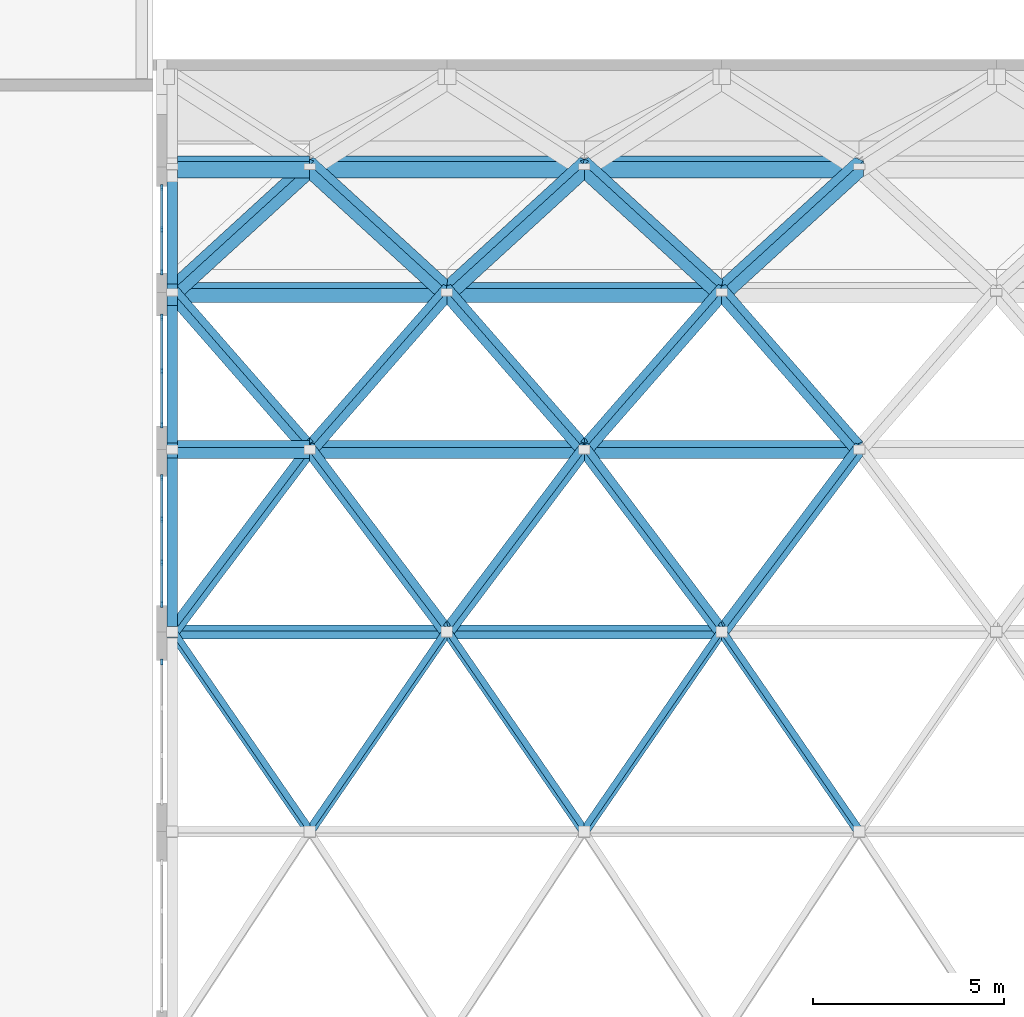
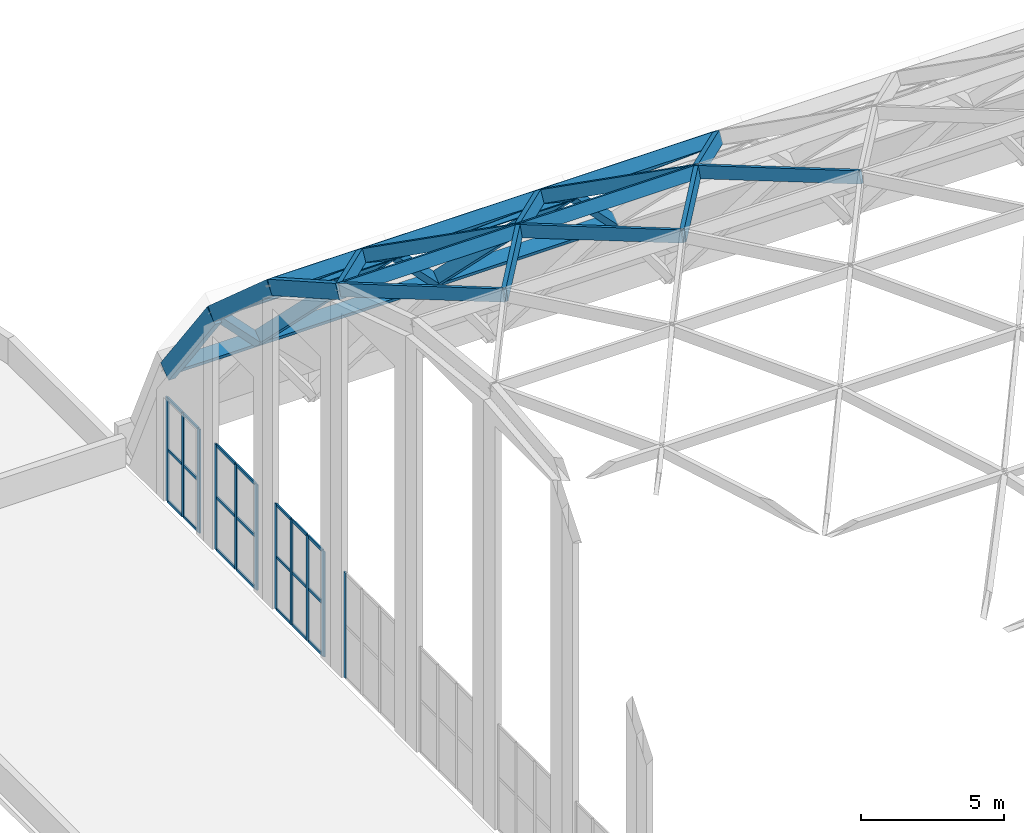
# One storey, part 6 of 52: 52 members, 13 beams, 4 elements without a shape of their own.
"""IFC4 building model written with IfcOpenShell, lengths in metres."""

from ifc_helpers import new_model, si_unit, direction, frame, origin, origin_2d, place, context, subcontext, project, spatial, rectangle, extrude, material, material_profile, profile_set, type_object, element, aggregate, save


model = new_model("IFC4")

# Units and contexts
model_context = context("Model", 3, precision=1e-05, world=origin(), true_north=direction((0.0, 1.0)))
body_context = subcontext(model_context, "Body", "Model", "MODEL_VIEW")
ifc_project = project(units=[si_unit("LENGTHUNIT", "METRE"), si_unit("AREAUNIT", "SQUARE_METRE"), si_unit("VOLUMEUNIT", "CUBIC_METRE"), si_unit("PLANEANGLEUNIT", "RADIAN"), si_unit("MASSUNIT", "GRAM", prefix="KILO")], contexts=[model_context])

# Site, building, storey
site_placement = place(None, origin())
site = spatial("IfcSite", under=ifc_project, at=site_placement, CompositionType="ELEMENT")
building_placement = place(site_placement, origin())
building = spatial("IfcBuilding", under=site, at=building_placement, Name="Vermilion Court Aquatics Centre", CompositionType="ELEMENT")
storey_placement = place(building_placement, frame((0.0, 0.0, 12.0)))
storey = spatial("IfcBuildingStorey", under=building, at=storey_placement, Name="L02", CompositionType="ELEMENT", Elevation=12.0)

# Curtain wall, member
ifc_material_1 = material(Name="Aluminium 6063-T5", Category="aluminium")
curtain_wall_type = type_object("IfcCurtainWallType", Name="Envelope curtain wall west gable lower runs", PredefinedType="NOTDEFINED", material=ifc_material_1)
curtain_wall_1_placement = place(storey_placement, origin())
curtain_wall_1 = element("IfcCurtainWall", 1, at=curtain_wall_1_placement, inside=storey, type_object=curtain_wall_type, Name="Gable glazing west 8.1", PredefinedType="NOTDEFINED")
ifc_material_2 = material(Name="Aluminium 6063-T5", Category="aluminium")
ifc_material_profile_1 = material_profile(ifc_material_2, rectangle(XDim=0.06005859375, YDim=0.159912109375, at=origin_2d()), Name="AL 60x160")
ifc_profile_set_1 = profile_set([ifc_material_profile_1], Name="Aluminium 6063-T5")
member_type_1 = type_object("IfcMemberType", Name="Envelope aluminium mullion 60x160", PredefinedType="MULLION", material=ifc_profile_set_1)
member_1_placement = place(storey_placement, frame((14.125, 49.52001953125, 0.0), z_axis=(0.0, 0.0, 1.0), x_axis=(-1.0, 0.0, 0.0)))
member_1 = element("IfcMember", 2, at=member_1_placement, type_object=member_type_1, Name="ECW3 mullion 4", PredefinedType="MULLION", context=body_context, shape_type="SweptSolid", body=[
    extrude(rectangle(XDim=0.06005859375, YDim=0.159912109375, at=origin_2d()), origin(), (0.0, 0.0, 1.0), 4.5),
])
aggregate(curtain_wall_1, [member_1])

# Curtain wall, members
curtain_wall_2_placement = place(storey_placement, origin())
curtain_wall_2 = element("IfcCurtainWall", 3, at=curtain_wall_2_placement, inside=storey, type_object=curtain_wall_type, Name="Gable glazing west 9.1", PredefinedType="NOTDEFINED")
member_2_placement = place(storey_placement, frame((14.125, 51.030029296875, 0.0), z_axis=(0.0, 0.0, 1.0), x_axis=(-1.0, 0.0, 0.0)))
member_2 = element("IfcMember", 4, at=member_2_placement, type_object=member_type_1, Name="ECW3 mullion 1", PredefinedType="MULLION", context=body_context, shape_type="SweptSolid", body=[
    extrude(rectangle(XDim=0.06005859375, YDim=0.159912109375, at=origin_2d()), origin(), (0.0, 0.0, 1.0), 4.5),
])
member_3_placement = place(storey_placement, frame((14.125, 52.126708984375, 0.0), z_axis=(0.0, 0.0, 1.0), x_axis=(-1.0, 0.0, 0.0)))
member_3 = element("IfcMember", 5, at=member_3_placement, type_object=member_type_1, Name="ECW3 mullion 2", PredefinedType="MULLION", context=body_context, shape_type="SweptSolid", body=[
    extrude(rectangle(XDim=0.06005859375, YDim=0.159912109375, at=origin_2d()), origin(), (0.0, 0.0, 1.0), 4.5),
])
member_4_placement = place(storey_placement, frame((14.125, 53.25341796875, 0.0), z_axis=(0.0, 0.0, 1.0), x_axis=(-1.0, 0.0, 0.0)))
member_4 = element("IfcMember", 6, at=member_4_placement, type_object=member_type_1, Name="ECW3 mullion 3", PredefinedType="MULLION", context=body_context, shape_type="SweptSolid", body=[
    extrude(rectangle(XDim=0.06005859375, YDim=0.159912109375, at=origin_2d()), origin(), (0.0, 0.0, 1.0), 4.5),
])
member_5_placement = place(storey_placement, frame((14.125, 54.35009765625, 0.0), z_axis=(0.0, 0.0, 1.0), x_axis=(-1.0, 0.0, 0.0)))
member_5 = element("IfcMember", 7, at=member_5_placement, type_object=member_type_1, Name="ECW3 mullion 4", PredefinedType="MULLION", context=body_context, shape_type="SweptSolid", body=[
    extrude(rectangle(XDim=0.06005859375, YDim=0.159912109375, at=origin_2d()), origin(), (0.0, 0.0, 1.0), 4.5),
])

curtain_wall_3_placement = place(storey_placement, origin())
curtain_wall_3 = element("IfcCurtainWall", 8, at=curtain_wall_3_placement, inside=storey, type_object=curtain_wall_type, Name="Gable glazing west 10.1", PredefinedType="NOTDEFINED")
member_6_placement = place(storey_placement, frame((14.125, 55.72998046875, 0.0), z_axis=(0.0, 0.0, 1.0), x_axis=(-1.0, 0.0, 0.0)))
member_6 = element("IfcMember", 9, at=member_6_placement, type_object=member_type_1, Name="ECW3 mullion 1", PredefinedType="MULLION", context=body_context, shape_type="SweptSolid", body=[
    extrude(rectangle(XDim=0.06005859375, YDim=0.159912109375, at=origin_2d()), origin(), (0.0, 0.0, 1.0), 4.5),
])
member_7_placement = place(storey_placement, frame((14.125, 57.139892578125, 0.0), z_axis=(0.0, 0.0, 1.0), x_axis=(-1.0, 0.0, 0.0)))
member_7 = element("IfcMember", 10, at=member_7_placement, type_object=member_type_1, Name="ECW3 mullion 2", PredefinedType="MULLION", context=body_context, shape_type="SweptSolid", body=[
    extrude(rectangle(XDim=0.06005859375, YDim=0.159912109375, at=origin_2d()), origin(), (0.0, 0.0, 1.0), 4.5),
])
member_8_placement = place(storey_placement, frame((14.125, 58.550048828125, 0.0), z_axis=(0.0, 0.0, 1.0), x_axis=(-1.0, 0.0, 0.0)))
member_8 = element("IfcMember", 11, at=member_8_placement, type_object=member_type_1, Name="ECW3 mullion 3", PredefinedType="MULLION", context=body_context, shape_type="SweptSolid", body=[
    extrude(rectangle(XDim=0.06005859375, YDim=0.159912109375, at=origin_2d()), origin(), (0.0, 0.0, 1.0), 4.5),
])

curtain_wall_4_placement = place(storey_placement, origin())
curtain_wall_4 = element("IfcCurtainWall", 12, at=curtain_wall_4_placement, inside=storey, type_object=curtain_wall_type, Name="Gable glazing west 11.1", PredefinedType="NOTDEFINED")
member_9_placement = place(storey_placement, frame((14.125, 59.739990234375, 0.0), z_axis=(0.0, 0.0, 1.0), x_axis=(-1.0, 0.0, 0.0)))
member_9 = element("IfcMember", 13, at=member_9_placement, type_object=member_type_1, Name="ECW3 mullion 1", PredefinedType="MULLION", context=body_context, shape_type="SweptSolid", body=[
    extrude(rectangle(XDim=0.06005859375, YDim=0.159912109375, at=origin_2d()), origin(), (0.0, 0.0, 1.0), 4.43603515625),
])
member_10_placement = place(storey_placement, frame((14.125, 60.844970703125, 0.0), z_axis=(0.0, 0.0, 1.0), x_axis=(-1.0, 0.0, 0.0)))
member_10 = element("IfcMember", 14, at=member_10_placement, type_object=member_type_1, Name="ECW3 mullion 2", PredefinedType="MULLION", context=body_context, shape_type="SweptSolid", body=[
    extrude(rectangle(XDim=0.06005859375, YDim=0.159912109375, at=origin_2d()), origin(), (0.0, 0.0, 1.0), 4.43603515625),
])
member_11_placement = place(storey_placement, frame((14.125, 61.949951171875, 0.0), z_axis=(0.0, 0.0, 1.0), x_axis=(-1.0, 0.0, 0.0)))
member_11 = element("IfcMember", 15, at=member_11_placement, type_object=member_type_1, Name="ECW3 mullion 3", PredefinedType="MULLION", context=body_context, shape_type="SweptSolid", body=[
    extrude(rectangle(XDim=0.06005859375, YDim=0.159912109375, at=origin_2d()), origin(), (0.0, 0.0, 1.0), 4.43603515625),
])

# Member
ifc_material_3 = material(Name="Aluminium 6063-T5", Category="aluminium")
ifc_material_profile_2 = material_profile(ifc_material_3, rectangle(XDim=0.06005859375, YDim=0.1201171875, at=origin_2d()), Name="AL 60x120")
ifc_profile_set_2 = profile_set([ifc_material_profile_2], Name="Aluminium 6063-T5")
member_type_2 = type_object("IfcMemberType", Name="Envelope aluminium transom 60x120", PredefinedType="USERDEFINED", material=ifc_profile_set_2)
member_12_placement = place(storey_placement, frame((14.125, 51.06005859375, 0.030029296875), z_axis=(0.0, 1.0, 0.0), x_axis=(-1.0, 0.0, 0.0)))
member_12 = element("IfcMember", 16, at=member_12_placement, type_object=member_type_2, Name="ECW3 transom 1.1", ObjectType="TRANSOM", PredefinedType="USERDEFINED", context=body_context, shape_type="SweptSolid", body=[
    extrude(rectangle(XDim=0.06005859375, YDim=0.1201171875, at=origin_2d()), origin(), (0.0, 0.0, 1.0), 1.03662109375),
])

member_13_placement = place(storey_placement, frame((14.125, 51.06005859375, 2.25), z_axis=(0.0, 1.0, 0.0), x_axis=(-1.0, 0.0, 0.0)))
member_13 = element("IfcMember", 17, at=member_13_placement, type_object=member_type_2, Name="ECW3 transom 1.2", ObjectType="TRANSOM", PredefinedType="USERDEFINED", context=body_context, shape_type="SweptSolid", body=[
    extrude(rectangle(XDim=0.06005859375, YDim=0.1201171875, at=origin_2d()), origin(), (0.0, 0.0, 1.0), 1.03662109375),
])

member_14_placement = place(storey_placement, frame((14.125, 51.06005859375, 4.469970703125), z_axis=(0.0, 1.0, 0.0), x_axis=(-1.0, 0.0, 0.0)))
member_14 = element("IfcMember", 18, at=member_14_placement, type_object=member_type_2, Name="ECW3 transom 1.3", ObjectType="TRANSOM", PredefinedType="USERDEFINED", context=body_context, shape_type="SweptSolid", body=[
    extrude(rectangle(XDim=0.06005859375, YDim=0.1201171875, at=origin_2d()), origin(), (0.0, 0.0, 1.0), 1.03662109375),
])

member_15_placement = place(storey_placement, frame((14.125, 52.15673828125, 0.030029296875), z_axis=(0.0, 1.0, 0.0), x_axis=(-1.0, 0.0, 0.0)))
member_15 = element("IfcMember", 19, at=member_15_placement, type_object=member_type_2, Name="ECW3 transom 2.1", ObjectType="TRANSOM", PredefinedType="USERDEFINED", context=body_context, shape_type="SweptSolid", body=[
    extrude(rectangle(XDim=0.06005859375, YDim=0.1201171875, at=origin_2d()), origin(), (0.0, 0.0, 1.0), 1.066650390625),
])

member_16_placement = place(storey_placement, frame((14.125, 52.15673828125, 2.25), z_axis=(0.0, 1.0, 0.0), x_axis=(-1.0, 0.0, 0.0)))
member_16 = element("IfcMember", 20, at=member_16_placement, type_object=member_type_2, Name="ECW3 transom 2.2", ObjectType="TRANSOM", PredefinedType="USERDEFINED", context=body_context, shape_type="SweptSolid", body=[
    extrude(rectangle(XDim=0.06005859375, YDim=0.1201171875, at=origin_2d()), origin(), (0.0, 0.0, 1.0), 1.066650390625),
])

member_17_placement = place(storey_placement, frame((14.125, 52.15673828125, 4.469970703125), z_axis=(0.0, 1.0, 0.0), x_axis=(-1.0, 0.0, 0.0)))
member_17 = element("IfcMember", 21, at=member_17_placement, type_object=member_type_2, Name="ECW3 transom 2.3", ObjectType="TRANSOM", PredefinedType="USERDEFINED", context=body_context, shape_type="SweptSolid", body=[
    extrude(rectangle(XDim=0.06005859375, YDim=0.1201171875, at=origin_2d()), origin(), (0.0, 0.0, 1.0), 1.066650390625),
])

member_18_placement = place(storey_placement, frame((14.125, 53.283447265625, 0.030029296875), z_axis=(0.0, 1.0, 0.0), x_axis=(-1.0, 0.0, 0.0)))
member_18 = element("IfcMember", 22, at=member_18_placement, type_object=member_type_2, Name="ECW3 transom 3.1", ObjectType="TRANSOM", PredefinedType="USERDEFINED", context=body_context, shape_type="SweptSolid", body=[
    extrude(rectangle(XDim=0.06005859375, YDim=0.1201171875, at=origin_2d()), origin(), (0.0, 0.0, 1.0), 1.03662109375),
])

member_19_placement = place(storey_placement, frame((14.125, 53.283447265625, 2.25), z_axis=(0.0, 1.0, 0.0), x_axis=(-1.0, 0.0, 0.0)))
member_19 = element("IfcMember", 23, at=member_19_placement, type_object=member_type_2, Name="ECW3 transom 3.2", ObjectType="TRANSOM", PredefinedType="USERDEFINED", context=body_context, shape_type="SweptSolid", body=[
    extrude(rectangle(XDim=0.06005859375, YDim=0.1201171875, at=origin_2d()), origin(), (0.0, 0.0, 1.0), 1.03662109375),
])

member_20_placement = place(storey_placement, frame((14.125, 53.283447265625, 4.469970703125), z_axis=(0.0, 1.0, 0.0), x_axis=(-1.0, 0.0, 0.0)))
member_20 = element("IfcMember", 24, at=member_20_placement, type_object=member_type_2, Name="ECW3 transom 3.3", ObjectType="TRANSOM", PredefinedType="USERDEFINED", context=body_context, shape_type="SweptSolid", body=[
    extrude(rectangle(XDim=0.06005859375, YDim=0.1201171875, at=origin_2d()), origin(), (0.0, 0.0, 1.0), 1.03662109375),
])

aggregate(curtain_wall_2, [member_2, member_3, member_4, member_5, member_12, member_13, member_14, member_15, member_16, member_17, member_18, member_19, member_20])

member_21_placement = place(storey_placement, frame((14.125, 55.760009765625, 0.030029296875), z_axis=(0.0, 1.0, 0.0), x_axis=(-1.0, 0.0, 0.0)))
member_21 = element("IfcMember", 25, at=member_21_placement, type_object=member_type_2, Name="ECW3 transom 1.1", ObjectType="TRANSOM", PredefinedType="USERDEFINED", context=body_context, shape_type="SweptSolid", body=[
    extrude(rectangle(XDim=0.06005859375, YDim=0.1201171875, at=origin_2d()), origin(), (0.0, 0.0, 1.0), 1.35009765625),
])

member_22_placement = place(storey_placement, frame((14.125, 55.760009765625, 2.25), z_axis=(0.0, 1.0, 0.0), x_axis=(-1.0, 0.0, 0.0)))
member_22 = element("IfcMember", 26, at=member_22_placement, type_object=member_type_2, Name="ECW3 transom 1.2", ObjectType="TRANSOM", PredefinedType="USERDEFINED", context=body_context, shape_type="SweptSolid", body=[
    extrude(rectangle(XDim=0.06005859375, YDim=0.1201171875, at=origin_2d()), origin(), (0.0, 0.0, 1.0), 1.35009765625),
])

member_23_placement = place(storey_placement, frame((14.125, 55.760009765625, 4.469970703125), z_axis=(0.0, 1.0, 0.0), x_axis=(-1.0, 0.0, 0.0)))
member_23 = element("IfcMember", 27, at=member_23_placement, type_object=member_type_2, Name="ECW3 transom 1.3", ObjectType="TRANSOM", PredefinedType="USERDEFINED", context=body_context, shape_type="SweptSolid", body=[
    extrude(rectangle(XDim=0.06005859375, YDim=0.1201171875, at=origin_2d()), origin(), (0.0, 0.0, 1.0), 1.35009765625),
])

member_24_placement = place(storey_placement, frame((14.125, 57.169921875, 0.030029296875), z_axis=(0.0, 1.0, 0.0), x_axis=(-1.0, 0.0, 0.0)))
member_24 = element("IfcMember", 28, at=member_24_placement, type_object=member_type_2, Name="ECW3 transom 2.1", ObjectType="TRANSOM", PredefinedType="USERDEFINED", context=body_context, shape_type="SweptSolid", body=[
    extrude(rectangle(XDim=0.06005859375, YDim=0.1201171875, at=origin_2d()), origin(), (0.0, 0.0, 1.0), 1.35009765625),
])

member_25_placement = place(storey_placement, frame((14.125, 57.169921875, 2.25), z_axis=(0.0, 1.0, 0.0), x_axis=(-1.0, 0.0, 0.0)))
member_25 = element("IfcMember", 29, at=member_25_placement, type_object=member_type_2, Name="ECW3 transom 2.2", ObjectType="TRANSOM", PredefinedType="USERDEFINED", context=body_context, shape_type="SweptSolid", body=[
    extrude(rectangle(XDim=0.06005859375, YDim=0.1201171875, at=origin_2d()), origin(), (0.0, 0.0, 1.0), 1.35009765625),
])

member_26_placement = place(storey_placement, frame((14.125, 57.169921875, 4.469970703125), z_axis=(0.0, 1.0, 0.0), x_axis=(-1.0, 0.0, 0.0)))
member_26 = element("IfcMember", 30, at=member_26_placement, type_object=member_type_2, Name="ECW3 transom 2.3", ObjectType="TRANSOM", PredefinedType="USERDEFINED", context=body_context, shape_type="SweptSolid", body=[
    extrude(rectangle(XDim=0.06005859375, YDim=0.1201171875, at=origin_2d()), origin(), (0.0, 0.0, 1.0), 1.35009765625),
])

aggregate(curtain_wall_3, [member_6, member_7, member_8, member_21, member_22, member_23, member_24, member_25, member_26])

member_27_placement = place(storey_placement, frame((14.125, 59.77001953125, 0.030029296875), z_axis=(0.0, 1.0, 0.0), x_axis=(-1.0, 0.0, 0.0)))
member_27 = element("IfcMember", 31, at=member_27_placement, type_object=member_type_2, Name="ECW3 transom 1.1", ObjectType="TRANSOM", PredefinedType="USERDEFINED", context=body_context, shape_type="SweptSolid", body=[
    extrude(rectangle(XDim=0.06005859375, YDim=0.1201171875, at=origin_2d()), origin(), (0.0, 0.0, 1.0), 1.044921875),
])

member_28_placement = place(storey_placement, frame((14.125, 59.77001953125, 2.218017578125), z_axis=(0.0, 1.0, 0.0), x_axis=(-1.0, 0.0, 0.0)))
member_28 = element("IfcMember", 32, at=member_28_placement, type_object=member_type_2, Name="ECW3 transom 1.2", ObjectType="TRANSOM", PredefinedType="USERDEFINED", context=body_context, shape_type="SweptSolid", body=[
    extrude(rectangle(XDim=0.06005859375, YDim=0.1201171875, at=origin_2d()), origin(), (0.0, 0.0, 1.0), 1.044921875),
])

member_29_placement = place(storey_placement, frame((14.125, 59.77001953125, 4.406005859375), z_axis=(0.0, 1.0, 0.0), x_axis=(-1.0, 0.0, 0.0)))
member_29 = element("IfcMember", 33, at=member_29_placement, type_object=member_type_2, Name="ECW3 transom 1.3", ObjectType="TRANSOM", PredefinedType="USERDEFINED", context=body_context, shape_type="SweptSolid", body=[
    extrude(rectangle(XDim=0.06005859375, YDim=0.1201171875, at=origin_2d()), origin(), (0.0, 0.0, 1.0), 1.044921875),
])

member_30_placement = place(storey_placement, frame((14.125, 60.875, 0.030029296875), z_axis=(0.0, 1.0, 0.0), x_axis=(-1.0, 0.0, 0.0)))
member_30 = element("IfcMember", 34, at=member_30_placement, type_object=member_type_2, Name="ECW3 transom 2.1", ObjectType="TRANSOM", PredefinedType="USERDEFINED", context=body_context, shape_type="SweptSolid", body=[
    extrude(rectangle(XDim=0.06005859375, YDim=0.1201171875, at=origin_2d()), origin(), (0.0, 0.0, 1.0), 1.044921875),
])

member_31_placement = place(storey_placement, frame((14.125, 60.875, 2.218017578125), z_axis=(0.0, 1.0, 0.0), x_axis=(-1.0, 0.0, 0.0)))
member_31 = element("IfcMember", 35, at=member_31_placement, type_object=member_type_2, Name="ECW3 transom 2.2", ObjectType="TRANSOM", PredefinedType="USERDEFINED", context=body_context, shape_type="SweptSolid", body=[
    extrude(rectangle(XDim=0.06005859375, YDim=0.1201171875, at=origin_2d()), origin(), (0.0, 0.0, 1.0), 1.044921875),
])

member_32_placement = place(storey_placement, frame((14.125, 60.875, 4.406005859375), z_axis=(0.0, 1.0, 0.0), x_axis=(-1.0, 0.0, 0.0)))
member_32 = element("IfcMember", 36, at=member_32_placement, type_object=member_type_2, Name="ECW3 transom 2.3", ObjectType="TRANSOM", PredefinedType="USERDEFINED", context=body_context, shape_type="SweptSolid", body=[
    extrude(rectangle(XDim=0.06005859375, YDim=0.1201171875, at=origin_2d()), origin(), (0.0, 0.0, 1.0), 1.044921875),
])

aggregate(curtain_wall_4, [member_9, member_10, member_11, member_27, member_28, member_29, member_30, member_31, member_32])

# Beams
ifc_material_4 = material(Name="Glulam 24F-V4 Douglas fir", Category="wood")
ifc_material_profile_3 = material_profile(ifc_material_4, rectangle(XDim=0.27294921875, YDim=0.60009765625, at=origin_2d()), Name="GL24F 273x600")
ifc_profile_set_3 = profile_set([ifc_material_profile_3], Name="Glulam 24F-V4 Douglas fir")
beam_type_1 = type_object("IfcBeamType", Name="Roof gable arch rib GL24F 273x600", PredefinedType="BEAM", material=ifc_profile_set_3)
beam_1_placement = place(storey_placement, frame((14.39990234375, 50.292724609375, 15.95361328125), z_axis=(0.0, 0.869440836463, -0.494037075422), x_axis=(-1.0, 0.0, 0.0)))
element("IfcBeam", 37, at=beam_1_placement, inside=storey, type_object=beam_type_1, Name="Gable arch rib GR-R08-W", PredefinedType="BEAM", context=body_context, shape_type="SweptSolid", body=[
    extrude(rectangle(XDim=0.27294921875, YDim=0.60009765625, at=origin_2d()), origin(), (0.0, 0.0, 1.0), 5.457763671875),
])
beam_2_placement = place(storey_placement, frame((14.39990234375, 55.06201171875, 13.240234375), z_axis=(0.0, 0.749486531049, -0.662019591686), x_axis=(-1.0, 0.0, 0.0)))
element("IfcBeam", 38, at=beam_2_placement, inside=storey, type_object=beam_type_1, Name="Gable arch rib GR-R09-W", PredefinedType="BEAM", context=body_context, shape_type="SweptSolid", body=[
    extrude(rectangle(XDim=0.27294921875, YDim=0.60009765625, at=origin_2d()), origin(), (0.0, 0.0, 1.0), 5.456787109375),
])
ifc_material_5 = material(Name="Glulam 24F-V4 Douglas fir", Category="wood")
ifc_material_profile_4 = material_profile(ifc_material_5, rectangle(XDim=0.27294921875, YDim=0.699951171875, at=origin_2d()), Name="GL24F 273x700")
ifc_profile_set_4 = profile_set([ifc_material_profile_4], Name="Glulam 24F-V4 Douglas fir")
beam_type_2 = type_object("IfcBeamType", Name="Roof gable arch rib GL24F 273x700", PredefinedType="BEAM", material=ifc_profile_set_4)
beam_3_placement = place(storey_placement, frame((14.39990234375, 59.1376953125, 9.568115234375), z_axis=(0.0, 0.597715934236, -0.801707965509), x_axis=(-1.0, 0.0, 0.0)))
element("IfcBeam", 39, at=beam_3_placement, inside=storey, type_object=beam_type_2, Name="Gable arch rib GR-R10-W", PredefinedType="BEAM", context=body_context, shape_type="SweptSolid", body=[
    extrude(rectangle(XDim=0.27294921875, YDim=0.699951171875, at=origin_2d()), origin(), (0.0, 0.0, 1.0), 5.4443359375),
])
ifc_material_6 = material(Name="Glulam 24F-V4 Douglas fir", Category="wood")
ifc_material_profile_5 = material_profile(ifc_material_6, rectangle(XDim=0.1708984375, YDim=0.5, at=origin_2d()), Name="GL24F 171x500")
ifc_profile_set_5 = profile_set([ifc_material_profile_5], Name="Glulam 24F-V4 Douglas fir")
beam_type_3 = type_object("IfcBeamType", Name="Roof glulam beam GL24F 171x500", PredefinedType="BEAM", material=ifc_profile_set_5)
beam_4_placement = place(storey_placement, frame((14.53662109375, 50.300048828125, 16.007080078125), z_axis=(1.0, 0.0, 0.0), x_axis=(0.0, 0.915794264632, -0.401647687492)))
element("IfcBeam", 40, at=beam_4_placement, inside=storey, type_object=beam_type_3, Name="Gridshell member GM-S08-00", PredefinedType="BEAM", context=body_context, shape_type="SweptSolid", body=[
    extrude(rectangle(XDim=0.1708984375, YDim=0.5, at=origin_2d()), origin(), (0.0, 0.0, 1.0), 7.0634765625),
])
beam_5_placement = place(storey_placement, frame((21.60009765625, 50.300048828125, 16.007080078125), z_axis=(1.0, 0.0, 0.0), x_axis=(0.0, 0.915794264632, -0.401647687492)))
element("IfcBeam", 41, at=beam_5_placement, inside=storey, type_object=beam_type_3, Name="Gridshell member GM-S08-01", PredefinedType="BEAM", context=body_context, shape_type="SweptSolid", body=[
    extrude(rectangle(XDim=0.1708984375, YDim=0.5, at=origin_2d()), origin(), (0.0, 0.0, 1.0), 7.199951171875),
])
ifc_material_7 = material(Name="Glulam 24F-V4 Douglas fir", Category="wood")
ifc_material_profile_6 = material_profile(ifc_material_7, rectangle(XDim=0.221923828125, YDim=0.5, at=origin_2d()), Name="GL24F 222x500")
ifc_profile_set_6 = profile_set([ifc_material_profile_6], Name="Glulam 24F-V4 Douglas fir")
beam_type_4 = type_object("IfcBeamType", Name="Roof glulam beam GL24F 222x500", PredefinedType="BEAM", material=ifc_profile_set_6)
beam_6_placement = place(storey_placement, frame((14.53662109375, 55.080078125, 13.291015625), z_axis=(1.0, 0.0, 0.0), x_axis=(0.0, 0.813847589394, -0.581078395087)))
element("IfcBeam", 42, at=beam_6_placement, inside=storey, type_object=beam_type_4, Name="Gridshell member GM-S09-00", PredefinedType="BEAM", context=body_context, shape_type="SweptSolid", body=[
    extrude(rectangle(XDim=0.221923828125, YDim=0.5, at=origin_2d()), origin(), (0.0, 0.0, 1.0), 3.46337890625),
])
for number, where, z_axis, x_axis, name in (
    (43, (18.0, 55.080078125, 13.291015625), (1.0, 0.0, 0.0), (0.0, 0.813847589394, -0.581078395087), "Gridshell member GM-S09-01"),
    (44, (25.199951171875, 55.080078125, 13.291015625), (1.0, 0.0, 0.0), (0.0, 0.813847589394, -0.581078395087), "Gridshell member GM-S09-02"),
):
    element("IfcBeam", number, at=place(storey_placement, frame(where, z_axis=z_axis, x_axis=x_axis)), inside=storey, type_object=beam_type_4, Name=name, PredefinedType="BEAM", context=body_context, shape_type="SweptSolid", body=[
        extrude(rectangle(XDim=0.221923828125, YDim=0.5, at=origin_2d()), origin(), (0.0, 0.0, 1.0), 7.199951171875),
    ])
beam_7_placement = place(storey_placement, frame((14.53662109375, 59.199951171875, 9.652099609375), z_axis=(1.0, 0.0, 0.0), x_axis=(0.0, 0.677259808472, -0.735743944473)))
element("IfcBeam", 45, at=beam_7_placement, inside=storey, type_object=beam_type_4, Name="Gridshell member GM-S10-00", PredefinedType="BEAM", context=body_context, shape_type="SweptSolid", body=[
    extrude(rectangle(XDim=0.221923828125, YDim=0.5, at=origin_2d()), origin(), (0.0, 0.0, 1.0), 7.0634765625),
])
beam_8_placement = place(storey_placement, frame((21.60009765625, 59.199951171875, 9.652099609375), z_axis=(1.0, 0.0, 0.0), x_axis=(0.0, 0.677259808472, -0.735743944473)))
element("IfcBeam", 46, at=beam_8_placement, inside=storey, type_object=beam_type_4, Name="Gridshell member GM-S10-01", PredefinedType="BEAM", context=body_context, shape_type="SweptSolid", body=[
    extrude(rectangle(XDim=0.221923828125, YDim=0.5, at=origin_2d()), origin(), (0.0, 0.0, 1.0), 7.199951171875),
])
ifc_material_8 = material(Name="Glulam 24F-V4 Douglas fir", Category="wood")
ifc_material_profile_7 = material_profile(ifc_material_8, rectangle(XDim=0.27294921875, YDim=0.5, at=origin_2d()), Name="GL24F 273x500")
ifc_profile_set_7 = profile_set([ifc_material_profile_7], Name="Glulam 24F-V4 Douglas fir")
beam_type_5 = type_object("IfcBeamType", Name="Roof glulam beam GL24F 273x500", PredefinedType="BEAM", material=ifc_profile_set_7)
beam_9_placement = place(storey_placement, frame((14.53662109375, 62.489990234375, 5.239013671875), z_axis=(1.0, 0.0, 0.0), x_axis=(0.0, 0.511594723072, -0.859226884661)))
element("IfcBeam", 47, at=beam_9_placement, inside=storey, type_object=beam_type_5, Name="Gridshell member GM-S11-00", PredefinedType="BEAM", context=body_context, shape_type="SweptSolid", body=[
    extrude(rectangle(XDim=0.27294921875, YDim=0.5, at=origin_2d()), origin(), (0.0, 0.0, 1.0), 3.46337890625),
])
for number, where, z_axis, x_axis, name in (
    (48, (18.0, 62.489990234375, 5.239013671875), (1.0, 0.0, 0.0), (0.0, 0.511594723072, -0.859226884661), "Gridshell member GM-S11-01"),
    (49, (25.199951171875, 62.489990234375, 5.239013671875), (1.0, 0.0, 0.0), (0.0, 0.511594723072, -0.859226884661), "Gridshell member GM-S11-02"),
):
    element("IfcBeam", number, at=place(storey_placement, frame(where, z_axis=z_axis, x_axis=x_axis)), inside=storey, type_object=beam_type_5, Name=name, PredefinedType="BEAM", context=body_context, shape_type="SweptSolid", body=[
        extrude(rectangle(XDim=0.27294921875, YDim=0.5, at=origin_2d()), origin(), (0.0, 0.0, 1.0), 7.199951171875),
    ])

# Members
ifc_material_9 = material(Name="Glulam 24F-V4 Douglas fir", Category="wood")
ifc_material_profile_8 = material_profile(ifc_material_9, rectangle(XDim=0.1708984375, YDim=0.5, at=origin_2d()), Name="GL24F 171x500")
ifc_profile_set_8 = profile_set([ifc_material_profile_8], Name="Glulam 24F-V4 Douglas fir")
member_type_3 = type_object("IfcMemberType", Name="Roof glulam diagonal GL24F 171x500", PredefinedType="BRACE", material=ifc_profile_set_8)
for number, where, z_axis, x_axis, name in (
    (50, (18.0, 45.070068359375, 17.681884765625), (-0.548255650399, 0.796469045357, -0.255054507103), (-0.836310790084, -0.522113193833, 0.167278436192), "Gridshell member GM-D07-00"),
    (51, (18.0, 45.070068359375, 17.681884765625), (0.548255650399, 0.796469045357, -0.255054507103), (-0.836310790084, 0.522113193833, -0.167278436192), "Gridshell member GM-D07-01"),
    (52, (25.199951171875, 45.070068359375, 17.681884765625), (-0.548229645356, 0.796485280625, -0.255059706147), (-0.836327836937, -0.522085963539, 0.167278198938), "Gridshell member GM-D07-02"),
    (53, (25.199951171875, 45.070068359375, 17.681884765625), (0.548255650399, 0.796469045357, -0.255054507103), (-0.836310790084, 0.522113193833, -0.167278436192), "Gridshell member GM-D07-03"),
    (54, (32.39990234375, 45.070068359375, 17.681884765625), (-0.548229645356, 0.796485280625, -0.255059706147), (-0.836327836937, -0.522085963539, 0.167278198938), "Gridshell member GM-D07-04"),
):
    element("IfcMember", number, at=place(storey_placement, frame(where, z_axis=z_axis, x_axis=x_axis)), inside=storey, type_object=member_type_3, Name=name, PredefinedType="BRACE", context=body_context, shape_type="SweptSolid", body=[
        extrude(rectangle(XDim=0.1708984375, YDim=0.5, at=origin_2d()), origin(), (0.0, 0.0, 1.0), 6.56640625),
    ])
ifc_material_10 = material(Name="Glulam 24F-V4 Douglas fir", Category="wood")
ifc_material_profile_9 = material_profile(ifc_material_10, rectangle(XDim=0.221923828125, YDim=0.5, at=origin_2d()), Name="GL24F 222x500")
ifc_profile_set_9 = profile_set([ifc_material_profile_9], Name="Glulam 24F-V4 Douglas fir")
member_type_4 = type_object("IfcMemberType", Name="Roof glulam diagonal GL24F 222x500", PredefinedType="BRACE", material=ifc_profile_set_9)
for number, where, z_axis, x_axis, name in (
    (55, (14.39990234375, 50.300048828125, 16.007080078125), (0.547823721413, 0.72737289038, -0.413301159685), (-0.836593790264, 0.476314014443, -0.270621118423), "Gridshell member GM-D08-00"),
    (56, (21.60009765625, 50.300048828125, 16.007080078125), (-0.547823721413, 0.72737289038, -0.413301159685), (-0.836593790264, -0.476314014443, 0.270621118423), "Gridshell member GM-D08-01"),
    (57, (21.60009765625, 50.300048828125, 16.007080078125), (0.54779771927, 0.727387693835, -0.413309571169), (-0.836610816753, 0.476284752714, -0.270619983787), "Gridshell member GM-D08-02"),
    (58, (28.800048828125, 50.300048828125, 16.007080078125), (-0.547823721413, 0.72737289038, -0.413301159685), (-0.836593790264, -0.476314014443, 0.270621118423), "Gridshell member GM-D08-03"),
    (59, (28.800048828125, 50.300048828125, 16.007080078125), (0.54779771927, 0.727387693835, -0.413309571169), (-0.836610816753, 0.476284752714, -0.270619983787), "Gridshell member GM-D08-04"),
):
    element("IfcMember", number, at=place(storey_placement, frame(where, z_axis=z_axis, x_axis=x_axis)), inside=storey, type_object=member_type_4, Name=name, PredefinedType="BRACE", context=body_context, shape_type="SweptSolid", body=[
        extrude(rectangle(XDim=0.221923828125, YDim=0.5, at=origin_2d()), origin(), (0.0, 0.0, 1.0), 6.571533203125),
    ])
for number, where, z_axis, x_axis, name in (
    (60, (18.0, 55.080078125, 13.291015625), (-0.547891107597, 0.626994604686, -0.553798790095), (-0.836549658829, -0.410684601647, 0.362660759228), "Gridshell member GM-D09-00"),
    (61, (18.0, 55.080078125, 13.291015625), (0.547891107597, 0.626994604686, -0.553798790095), (-0.836549658829, 0.410684601647, -0.362660759228), "Gridshell member GM-D09-01"),
    (62, (25.199951171875, 55.080078125, 13.291015625), (-0.547865104999, 0.627007368387, -0.553810063752), (-0.836566689223, -0.410652793719, 0.362657493363), "Gridshell member GM-D09-02"),
    (63, (25.199951171875, 55.080078125, 13.291015625), (0.547891107597, 0.626994604686, -0.553798790095), (-0.836549658829, 0.410684601647, -0.362660759228), "Gridshell member GM-D09-03"),
    (64, (32.39990234375, 55.080078125, 13.291015625), (-0.547865104999, 0.627007368387, -0.553810063752), (-0.836566689223, -0.410652793719, 0.362657493363), "Gridshell member GM-D09-04"),
):
    element("IfcMember", number, at=place(storey_placement, frame(where, z_axis=z_axis, x_axis=x_axis)), inside=storey, type_object=member_type_4, Name=name, PredefinedType="BRACE", context=body_context, shape_type="SweptSolid", body=[
        extrude(rectangle(XDim=0.221923828125, YDim=0.5, at=origin_2d()), origin(), (0.0, 0.0, 1.0), 6.57080078125),
    ])
ifc_material_11 = material(Name="Glulam 24F-V4 Douglas fir", Category="wood")
ifc_material_profile_10 = material_profile(ifc_material_11, rectangle(XDim=0.27294921875, YDim=0.5, at=origin_2d()), Name="GL24F 273x500")
ifc_profile_set_10 = profile_set([ifc_material_profile_10], Name="Glulam 24F-V4 Douglas fir")
member_type_5 = type_object("IfcMemberType", Name="Roof glulam diagonal GL24F 273x500", PredefinedType="BRACE", material=ifc_profile_set_10)
for number, where, z_axis, x_axis, name in (
    (65, (14.39990234375, 59.199951171875, 9.652099609375), (0.547354985532, 0.500214009563, -0.670960851652), (-0.836900542699, 0.327116726721, -0.438853197242), "Gridshell member GM-D10-00"),
    (66, (21.60009765625, 59.199951171875, 9.652099609375), (-0.547354985532, 0.500214009563, -0.670960851652), (-0.836900542699, -0.327116726721, 0.438853197242), "Gridshell member GM-D10-01"),
    (67, (21.60009765625, 59.199951171875, 9.652099609375), (0.547328986583, 0.500224172478, -0.670974483654), (-0.836917545043, 0.32708302, -0.438845896445), "Gridshell member GM-D10-02"),
    (68, (28.800048828125, 59.199951171875, 9.652099609375), (-0.547354985532, 0.500214009563, -0.670960851652), (-0.836900542699, -0.327116726721, 0.438853197242), "Gridshell member GM-D10-03"),
    (69, (28.800048828125, 59.199951171875, 9.652099609375), (0.547328986583, 0.500224172478, -0.670974483654), (-0.836917545043, 0.32708302, -0.438845896445), "Gridshell member GM-D10-04"),
):
    element("IfcMember", number, at=place(storey_placement, frame(where, z_axis=z_axis, x_axis=x_axis)), inside=storey, type_object=member_type_5, Name=name, PredefinedType="BRACE", context=body_context, shape_type="SweptSolid", body=[
        extrude(rectangle(XDim=0.27294921875, YDim=0.5, at=origin_2d()), origin(), (0.0, 0.0, 1.0), 6.5771484375),
    ])

save(model, "model.ifc")
